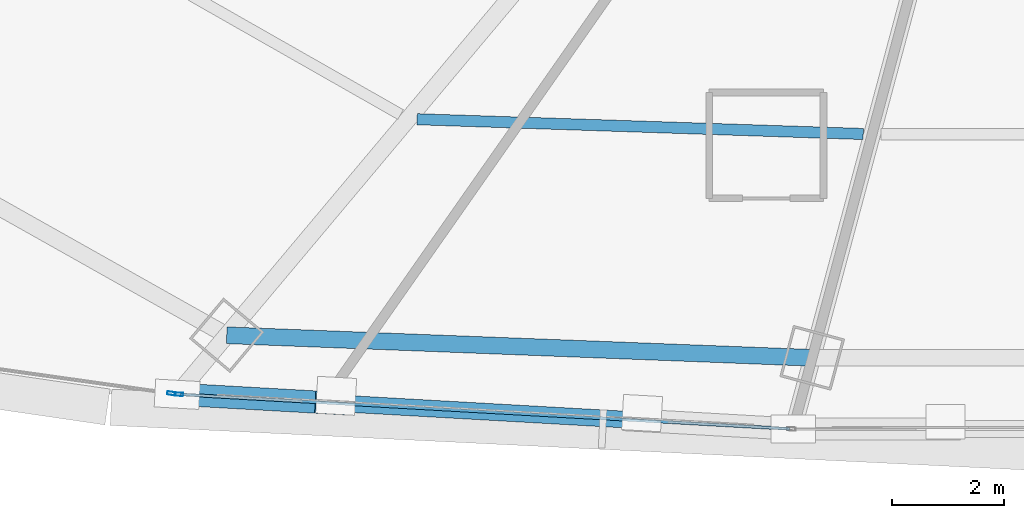
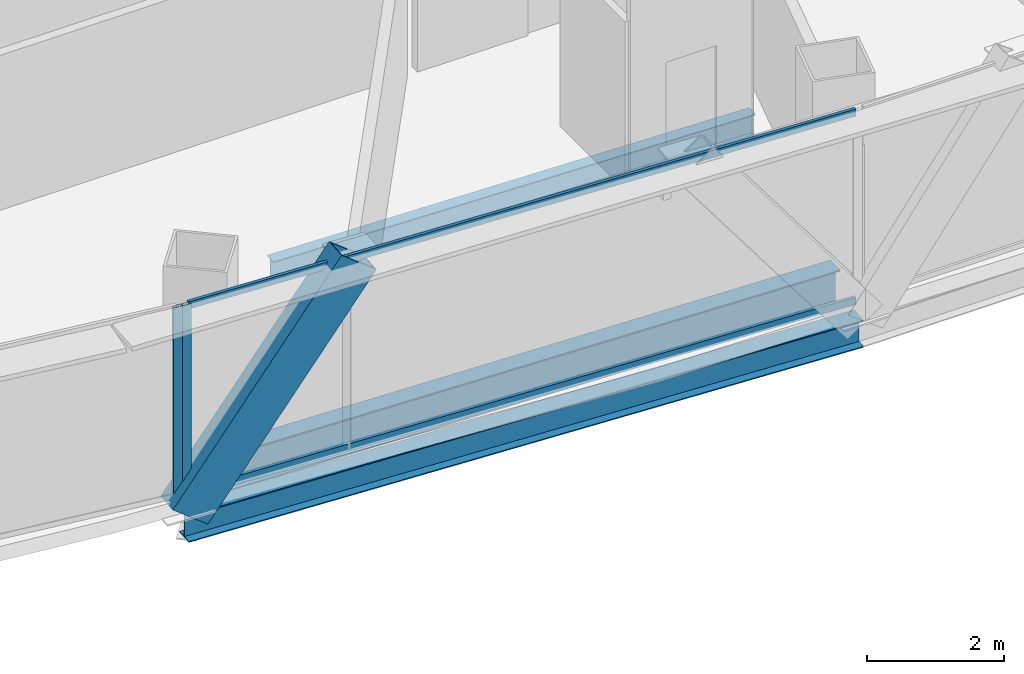
# One storey, part 6 of 40: 5 members, 3 beams, 2 elements without a shape of their own.
"""IFC4 building model written with IfcOpenShell, lengths in metres."""

from ifc_helpers import new_model, si_unit, direction, frame, origin, origin_2d, place, context, subcontext, project, spatial, hollow_rectangle, i_section, extrude, source, transform, mapped, material, layer, layer_set, material_profile, profile_set, type_object, element, aggregate, save


model = new_model("IFC4")

# Units and contexts
model_context = context("Model", 3, precision=1e-05, world=origin(), true_north=direction((0.0, 1.0)))
body_context = subcontext(model_context, "Body", "Model", "MODEL_VIEW")
ifc_project = project(units=[si_unit("LENGTHUNIT", "METRE"), si_unit("AREAUNIT", "SQUARE_METRE"), si_unit("VOLUMEUNIT", "CUBIC_METRE"), si_unit("PLANEANGLEUNIT", "RADIAN"), si_unit("MASSUNIT", "GRAM", prefix="KILO"), si_unit("THERMODYNAMICTEMPERATUREUNIT", "KELVIN"), si_unit("POWERUNIT", "WATT")], contexts=[model_context])

# Site, building, storey
site_placement = place(None, origin())
site = spatial("IfcSite", under=ifc_project, at=site_placement, CompositionType="ELEMENT")
building_placement = place(site_placement, origin())
building = spatial("IfcBuilding", under=site, at=building_placement, Name="Yunzhuo Pagoda Commons", CompositionType="ELEMENT")
storey_placement = place(building_placement, frame((0.0, 0.0, 159.27001953125)))
storey = spatial("IfcBuildingStorey", under=building, at=storey_placement, Name="L40", CompositionType="ELEMENT", Elevation=159.27001953125)

# Beams
ifc_material_1 = material(Name="Structural steel Q355B", Category="steel")
ifc_material_profile_1 = material_profile(ifc_material_1, i_section(OverallWidth=0.300048828125, OverallDepth=0.64990234375, WebThickness=0.012939453125, FlangeThickness=0.02197265625, at=origin_2d()), Name="Structural steel Q355B")
ifc_profile_set_1 = profile_set([ifc_material_profile_1], Name="Structural steel Q355B")
beam_type_1 = type_object("IfcBeamType", Name="B-RG2 Beam HN 650x300x13x22", PredefinedType="BEAM", material=ifc_profile_set_1)
shared_shape_1 = source(origin(), body_context, "Body", "SweptSolid", [
    extrude(i_section(OverallWidth=0.300048828125, OverallDepth=0.64990234375, WebThickness=0.012939453125, FlangeThickness=0.02197265625, at=origin_2d()), origin(), (0.0, 0.0, 1.0), 10.5078125),
])
beam_1_placement = place(storey_placement, frame((32.414794921875, 15.126220703125, -0.5849609375), z_axis=(0.999258632812, -0.03849915259, 0.0), x_axis=(0.03849915259, 0.999258632812, 0.0)))
element("IfcBeam", 1, at=beam_1_placement, inside=storey, type_object=beam_type_1, Name="L40 column-ring beam 1", PredefinedType="BEAM", context=body_context, shape_type="MappedRepresentation", body=[
    mapped(shared_shape_1, transform((0.0, 0.0, 0.0), scale=1.0)),
])
ifc_material_profile_2 = material_profile(ifc_material_1, i_section(OverallWidth=0.199951171875, OverallDepth=0.39990234375, WebThickness=0.008056640625, FlangeThickness=0.012939453125, at=origin_2d()), Name="Structural steel Q355B")
ifc_profile_set_2 = profile_set([ifc_material_profile_2], Name="Structural steel Q355B")
beam_type_2 = type_object("IfcBeamType", Name="B-JS1 Joist HN 400x200x8x13", PredefinedType="JOIST", material=ifc_profile_set_2)
shared_shape_2 = source(origin(), body_context, "Body", "SweptSolid", [
    extrude(i_section(OverallWidth=0.199951171875, OverallDepth=0.39990234375, WebThickness=0.008056640625, FlangeThickness=0.012939453125, at=origin_2d()), origin(), (0.0, 0.0, 1.0), 8.00537109375),
])
beam_2_placement = place(storey_placement, frame((35.8291015625, 19.00048828125, -0.4599609375), z_axis=(0.999453403952, -0.033058937199, 0.0), x_axis=(0.033058937199, 0.999453403952, 0.0)))
element("IfcBeam", 2, at=beam_2_placement, inside=storey, type_object=beam_type_2, Name="L40 composite ring joist 2.1", PredefinedType="JOIST", context=body_context, shape_type="MappedRepresentation", body=[
    mapped(shared_shape_2, transform((0.0, 0.0, 0.0), scale=1.0)),
])
ifc_material_profile_3 = material_profile(ifc_material_1, i_section(OverallWidth=0.300048828125, OverallDepth=0.488037109375, WebThickness=0.010986328125, FlangeThickness=0.01806640625, at=origin_2d()), Name="Structural steel Q355B")
ifc_profile_set_3 = profile_set([ifc_material_profile_3], Name="Structural steel Q355B")
beam_type_3 = type_object("IfcBeamType", Name="B-SP1 Beam HM 488x300x11x18", PredefinedType="BEAM", material=ifc_profile_set_3)
shared_shape_3 = source(origin(), body_context, "Body", "SweptSolid", [
    extrude(i_section(OverallWidth=0.300048828125, OverallDepth=0.488037109375, WebThickness=0.010986328125, FlangeThickness=0.01806640625, at=origin_2d()), origin(), (0.0, 0.0, 1.0), 11.06298828125),
])
beam_3_placement = place(storey_placement, frame((31.527099609375, 14.06884765625, -0.50390625), z_axis=(0.998402926244, -0.056494219778, 0.0), x_axis=(0.056494219778, 0.998402926244, 0.0)))
element("IfcBeam", 3, at=beam_3_placement, inside=storey, type_object=beam_type_3, Name="L40 facade edge spandrel beam F1.1", PredefinedType="BEAM", context=body_context, shape_type="MappedRepresentation", body=[
    mapped(shared_shape_3, transform((0.0, 0.0, 0.0), scale=1.0)),
])

# Member
ifc_material_profile_4 = material_profile(ifc_material_1, hollow_rectangle(XDim=0.39990234375, YDim=0.719970703125, WallThickness=0.02392578125, at=origin_2d()), Name="Structural steel Q355B")
ifc_profile_set_4 = profile_set([ifc_material_profile_4], Name="Structural steel Q355B")
member_type_1 = type_object("IfcMemberType", Name="M-DL2 Brace BOX 720x400x24", PredefinedType="BRACE", material=ifc_profile_set_4)
shared_shape_4 = source(origin(), body_context, "Body", "SweptSolid", [
    extrude(hollow_rectangle(XDim=0.39990234375, YDim=0.719970703125, WallThickness=0.02392578125, at=origin_2d()), origin(), (0.0, 0.0, 1.0), 4.603515625),
])
member_1_placement = place(storey_placement, frame((31.527099609375, 14.06884765625, -0.260009765625), z_axis=(0.59986640331, -0.03394169376, 0.799379921942), x_axis=(0.056491730434, 0.998403067099, 0.0)))
element("IfcMember", 4, at=member_1_placement, inside=storey, type_object=member_type_1, Name="L40 facade diamond brace F1.1L", PredefinedType="BRACE", context=body_context, shape_type="MappedRepresentation", body=[
    mapped(shared_shape_4, transform((0.0, 0.0, 0.0), scale=1.0)),
])

# Curtain wall, member
ifc_material_2 = material(Name="Anodized aluminium 6063-T6", Category="aluminium")
ifc_layer = layer(ifc_material_2, 0.14990234375)
ifc_layer_set = layer_set([ifc_layer], Name="Anodized aluminium 6063-T6")
curtain_wall_type = type_object("IfcCurtainWallType", Name="CW-MID Mid-Zone Ribbon Curtain Wall", PredefinedType="NOTDEFINED", material=ifc_layer_set)
curtain_wall_1_placement = place(storey_placement, origin())
curtain_wall_1 = element("IfcCurtainWall", 5, at=curtain_wall_1_placement, inside=storey, type_object=curtain_wall_type, Name="L40 curtain wall CW-L40-F1B2", PredefinedType="NOTDEFINED")
ifc_material_profile_5 = material_profile(ifc_material_2, hollow_rectangle(XDim=0.06005859375, YDim=0.14990234375, WallThickness=0.00390625, at=origin_2d()), Name="Anodized aluminium 6063-T6")
ifc_profile_set_5 = profile_set([ifc_material_profile_5], Name="Anodized aluminium 6063-T6")
member_type_2 = type_object("IfcMemberType", Name="CW-MID-M Mullion RHS 150x60x4", PredefinedType="MULLION", material=ifc_profile_set_5)
shared_shape_5 = source(origin(), body_context, "Body", "SweptSolid", [
    extrude(hollow_rectangle(XDim=0.06005859375, YDim=0.14990234375, WallThickness=0.00390625, at=origin_2d()), origin(), (0.0, 0.0, 1.0), 3.419677734375),
])
member_2_placement = place(storey_placement, frame((31.55712890625, 14.067138671875, 0.000244140625), z_axis=(0.0, 0.0, 1.0), x_axis=(0.056459249567, 0.998404904404, 0.0)))
member_2 = element("IfcMember", 6, at=member_2_placement, type_object=member_type_2, Name="CW mullion 1", PredefinedType="MULLION", context=body_context, shape_type="MappedRepresentation", body=[
    mapped(shared_shape_5, transform((0.0, 0.0, 0.0), scale=1.0)),
])

curtain_wall_2_placement = place(storey_placement, origin())
curtain_wall_2 = element("IfcCurtainWall", 7, at=curtain_wall_2_placement, inside=storey, type_object=curtain_wall_type, Name="L40 curtain wall CW-L40-F1B1", PredefinedType="NOTDEFINED")
member_3_placement = place(storey_placement, frame((31.423095703125, 14.083251953125, 0.000244140625), z_axis=(0.0, 0.0, 1.0), x_axis=(0.13962976996, 0.990203780714, 0.0)))
member_3 = element("IfcMember", 8, at=member_3_placement, type_object=member_type_2, Name="CW mullion 2", PredefinedType="MULLION", context=body_context, shape_type="MappedRepresentation", body=[
    mapped(shared_shape_5, transform((0.0, 0.0, 0.0), scale=1.0)),
])
aggregate(curtain_wall_2, [member_3])

# Member
ifc_material_profile_6 = material_profile(ifc_material_2, hollow_rectangle(XDim=0.054931640625, YDim=0.1298828125, WallThickness=0.00341796875, at=origin_2d()), Name="Anodized aluminium 6063-T6")
ifc_profile_set_6 = profile_set([ifc_material_profile_6], Name="Anodized aluminium 6063-T6")
member_type_3 = type_object("IfcMemberType", Name="CW-MID-T Transom RHS 130x55x3.5", PredefinedType="USERDEFINED", material=ifc_profile_set_6)
shared_shape_6 = source(origin(), body_context, "Body", "SweptSolid", [
    extrude(hollow_rectangle(XDim=0.054931640625, YDim=0.1298828125, WallThickness=0.00341796875, at=origin_2d()), origin(), (0.0, 0.0, 1.0), 10.94287109375),
])
member_4_placement = place(storey_placement, frame((31.587158203125, 14.0654296875, 0.027587890625), z_axis=(0.998403128064, -0.056490652967, 0.0), x_axis=(0.056490652967, 0.998403128064, 0.0)))
member_4 = element("IfcMember", 9, at=member_4_placement, type_object=member_type_3, Name="CW transom 1.1", ObjectType="TRANSOM", PredefinedType="USERDEFINED", context=body_context, shape_type="MappedRepresentation", body=[
    mapped(shared_shape_6, transform((0.0, 0.0, 0.0), scale=1.0)),
])

member_5_placement = place(storey_placement, frame((31.587158203125, 14.0654296875, 3.392578125), z_axis=(0.998403128064, -0.056490652967, 0.0), x_axis=(0.056490652967, 0.998403128064, 0.0)))
member_5 = element("IfcMember", 10, at=member_5_placement, type_object=member_type_3, Name="CW transom 1.2", ObjectType="TRANSOM", PredefinedType="USERDEFINED", context=body_context, shape_type="MappedRepresentation", body=[
    mapped(shared_shape_6, transform((0.0, 0.0, 0.0), scale=1.0)),
])

aggregate(curtain_wall_1, [member_2, member_4, member_5])

save(model, "model.ifc")
